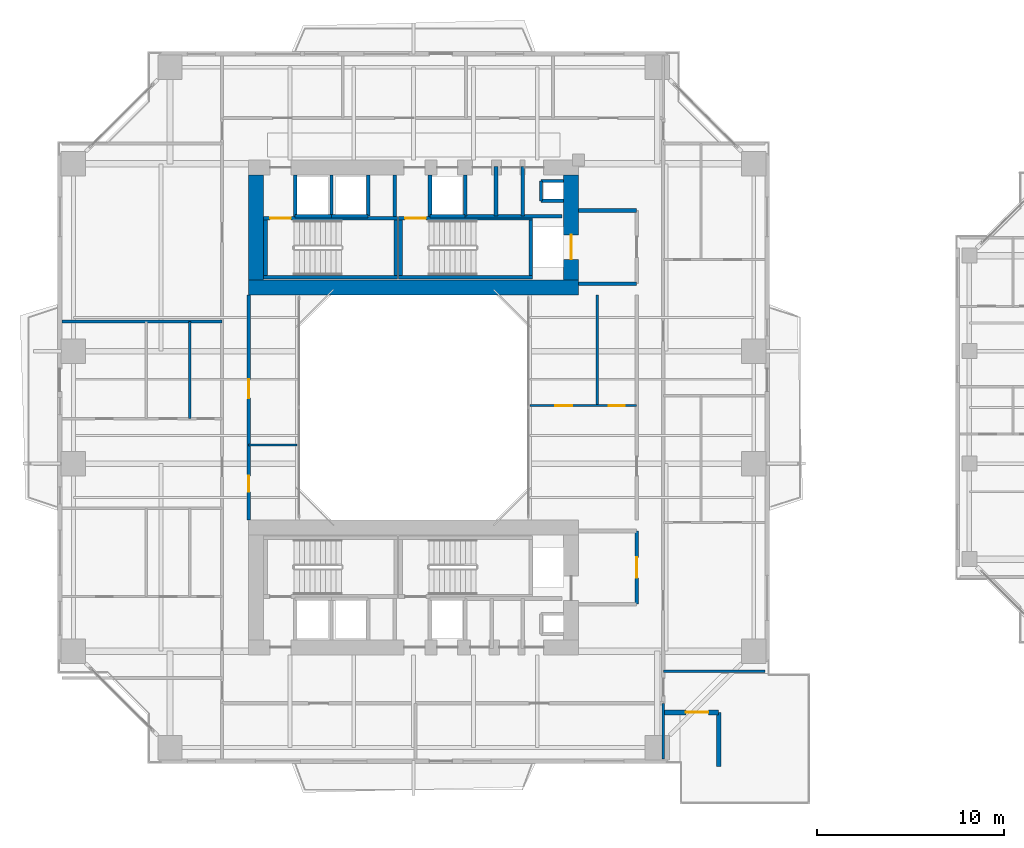
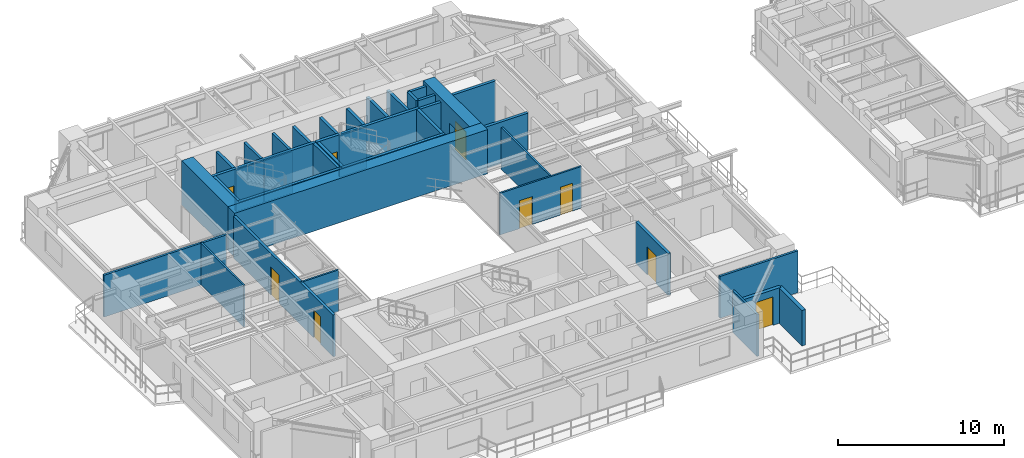
# One storey, part 15 of 23: 39 walls, 9 doors, 9 openings.
"""IFC4 building model written with IfcOpenShell, lengths in metres."""

from ifc_helpers import new_model, si_unit, direction, frame, frame_2d, origin, place, context, subcontext, project, spatial, rectangle, extrude, source, transform, mapped, material, layer, layer_set, type_object, element, fill, save


model = new_model("IFC4")

# Units and contexts
model_context = context("Model", 3, precision=1e-05, world=origin(), true_north=direction((0.0, 1.0)))
body_context = subcontext(model_context, "Body", "Model", "MODEL_VIEW")
ifc_project = project(units=[si_unit("LENGTHUNIT", "METRE"), si_unit("AREAUNIT", "SQUARE_METRE"), si_unit("VOLUMEUNIT", "CUBIC_METRE"), si_unit("PLANEANGLEUNIT", "RADIAN"), si_unit("MASSUNIT", "GRAM", prefix="KILO"), si_unit("THERMODYNAMICTEMPERATUREUNIT", "KELVIN"), si_unit("POWERUNIT", "WATT")], contexts=[model_context])

# Site, building, storey
site_placement = place(None, origin())
site = spatial("IfcSite", under=ifc_project, at=site_placement, CompositionType="ELEMENT")
building_placement = place(site_placement, origin())
building = spatial("IfcBuilding", under=site, at=building_placement, Name="Qiaomeng Ring Towers", CompositionType="ELEMENT")
storey_placement = place(building_placement, frame((0.0, 0.0, 73.0)))
storey = spatial("IfcBuildingStorey", under=building, at=storey_placement, Name="L20", CompositionType="ELEMENT", Elevation=73.0)

# Wall, opening, door
ifc_material_1 = material(Name="Precast concrete C40", Category="concrete")
ifc_layer_1 = layer(ifc_material_1, 0.25, Name="Precast concrete C40")
ifc_layer_set_1 = layer_set([ifc_layer_1], Name="Precast concrete C40")
wall_type_1 = type_object("IfcWallType", Name="ARC-WL-EW1", PredefinedType="STANDARD", material=ifc_layer_set_1)
wall_1_placement = place(storey_placement, frame((32.375, 6.72509765625, 0.0), z_axis=(0.0, 0.0, 1.0), x_axis=(1.0, 0.0, 0.0)))
wall_1 = element("IfcWall", 1, at=wall_1_placement, inside=storey, type_object=wall_type_1, Name="L20 Spiral Terrace Wall SE", PredefinedType="STANDARD", context=body_context, shape_type="SweptSolid", body=[
    extrude(rectangle(XDim=2.89990234375, YDim=0.25, at=frame_2d((1.449951171875, 0.0))), origin(), (0.0, 0.0, 1.0), 2.610107421875),
])
opening_1_placement = place(wall_1_placement, frame((1.14990234375, 0.0, 0.0)))
opening_1 = element("IfcOpeningElement", 2, at=opening_1_placement, cuts=wall_1, Name="Opening BD1", PredefinedType="OPENING", context=body_context, shape_type="SweptSolid", body=[
    extrude(rectangle(XDim=1.199951171875, YDim=2.10009765625, at=frame_2d((0.60009765625, 1.050048828125))), frame((0.0, 0.135009765625, 0.0), z_axis=(0.0, -1.0, 0.0), x_axis=(1.0, 0.0, 0.0)), (0.0, 0.0, 1.0), 0.27001953125),
])
ifc_material_2 = material(Name="Low-E dark-grey laminated double glazing", Category="glass")
door_type_1 = type_object("IfcDoorType", Name="ARC-DR-BD1", OperationType="NOTDEFINED", PredefinedType="DOOR", material=ifc_material_2)
shared_shape_1 = source(origin(), body_context, "Body", "SweptSolid", [
    extrude(rectangle(XDim=1.199951171875, YDim=2.10009765625, at=frame_2d((0.60009765625, 1.050048828125))), frame((0.0, 0.02490234375, 0.0), z_axis=(0.0, -1.0, 0.0), x_axis=(1.0, 0.0, 0.0)), (0.0, 0.0, 1.0), 0.050048828125),
])
door_1_placement = place(opening_1_placement, origin())
door_1 = element("IfcDoor", 3, at=door_1_placement, inside=storey, type_object=door_type_1, Name="L20 Spiral Sky Terrace Door SE", OperationType="SINGLE_SWING_LEFT", OverallHeight=2.10009765625, OverallWidth=1.199951171875, PredefinedType="DOOR", context=body_context, shape_type="MappedRepresentation", body=[
    mapped(shared_shape_1, transform((0.0, 0.0, 0.0), x_axis=(1.0, 0.0, 0.0), y_axis=(0.0, 1.0, 0.0), z_axis=(0.0, 0.0, 1.0), scale=1.0)),
])
fill(opening_1, door_1)

# Walls
wall_2_placement = place(storey_placement, frame((35.27490234375, 3.85009765625, 0.0), z_axis=(0.0, 0.0, 1.0), x_axis=(0.0, 1.0, 0.0)))
element("IfcWall", 4, at=wall_2_placement, inside=storey, type_object=wall_type_1, Name="L20 Spiral Terrace Return Wall SE", PredefinedType="STANDARD", context=body_context, shape_type="SweptSolid", body=[
    extrude(rectangle(XDim=2.875, YDim=0.25, at=frame_2d((1.4375, 0.0))), origin(), (0.0, 0.0, 1.0), 2.610107421875),
])
ifc_material_3 = material(Name="Autoclaved aerated concrete block", Category="concrete")
ifc_layer_2 = layer(ifc_material_3, 0.199951171875, Name="Autoclaved aerated concrete block")
ifc_layer_set_2 = layer_set([ifc_layer_2], Name="Autoclaved aerated concrete block")
wall_type_2 = type_object("IfcWallType", Name="ARC-WL-PW1", PredefinedType="PARTITIONING", material=ifc_layer_set_2)
for number, where, z_axis, x_axis, name in (
    (5, (27.800048828125, 29.60009765625, 0.0), (0.0, 0.0, 1.0), (1.0, 0.0, 0.0), "L20 Interior Wall PW1"),
    (6, (27.800048828125, 33.5, 0.0), (0.0, 0.0, 1.0), (1.0, 0.0, 0.0), "L20 Interior Wall PW1"),
):
    element("IfcWall", number, at=place(storey_placement, frame(where, z_axis=z_axis, x_axis=x_axis)), inside=storey, type_object=wall_type_2, Name=name, PredefinedType="PARTITIONING", context=body_context, shape_type="SweptSolid", body=[
        extrude(rectangle(XDim=3.099853515625, YDim=0.199951171875, at=frame_2d((1.5498046875, 0.0))), origin(), (0.0, 0.0, 1.0), 3.070068359375),
    ])

# Wall, opening, door
wall_3_placement = place(storey_placement, frame((30.89990234375, 12.5, 0.0), z_axis=(0.0, 0.0, 1.0), x_axis=(0.0, 1.0, 0.0)))
wall_3 = element("IfcWall", 7, at=wall_3_placement, inside=storey, type_object=wall_type_2, Name="L20 Interior Wall PW1", PredefinedType="PARTITIONING", context=body_context, shape_type="SweptSolid", body=[
    extrude(rectangle(XDim=3.89990234375, YDim=0.199951171875, at=frame_2d((1.949951171875, 0.0))), origin(), (0.0, 0.0, 1.0), 3.070068359375),
])
opening_2_placement = place(wall_3_placement, frame((1.39990234375, 0.0, 0.0)))
opening_2 = element("IfcOpeningElement", 8, at=opening_2_placement, cuts=wall_3, Name="Opening FD3", PredefinedType="OPENING", context=body_context, shape_type="SweptSolid", body=[
    extrude(rectangle(XDim=1.10009765625, YDim=2.050048828125, at=frame_2d((0.550048828125, 1.02490234375))), frame((0.0, 0.10986328125, 0.0), z_axis=(0.0, -1.0, 0.0), x_axis=(1.0, 0.0, 0.0)), (0.0, 0.0, 1.0), 0.219970703125),
])
ifc_material_4 = material(Name="Galvanised steel", Category="steel")
door_type_2 = type_object("IfcDoorType", Name="ARC-DR-FD3", OperationType="NOTDEFINED", PredefinedType="DOOR", material=ifc_material_4)
shared_shape_2 = source(origin(), body_context, "Body", "SweptSolid", [
    extrude(rectangle(XDim=1.10009765625, YDim=2.050048828125, at=frame_2d((0.550048828125, 1.02490234375))), frame((0.0, 0.02490234375, 0.0), z_axis=(0.0, -1.0, 0.0), x_axis=(1.0, 0.0, 0.0)), (0.0, 0.0, 1.0), 0.050048828125),
])
door_2_placement = place(opening_2_placement, origin())
door_2 = element("IfcDoor", 9, at=door_2_placement, inside=storey, type_object=door_type_2, Name="L20 South FF Lobby Door", OperationType="SINGLE_SWING_RIGHT", OverallHeight=2.050048828125, OverallWidth=1.10009765625, PredefinedType="DOOR", context=body_context, shape_type="MappedRepresentation", body=[
    mapped(shared_shape_2, transform((0.0, 0.0, 0.0), x_axis=(1.0, 0.0, 0.0), y_axis=(0.0, 1.0, 0.0), z_axis=(0.0, 0.0, 1.0), scale=1.0)),
])
fill(opening_2, door_2)

# Walls
for number, where, z_axis, x_axis, name in (
    (10, (12.679931640625, 33.18994140625, 0.0), (0.0, 0.0, 1.0), (0.0, 1.0, 0.0), "L20 Interior Wall PW1"),
    (11, (18.0, 33.18994140625, 0.0), (0.0, 0.0, 1.0), (0.0, 1.0, 0.0), "L20 Interior Wall PW1"),
    (12, (19.8798828125, 33.18994140625, 0.0), (0.0, 0.0, 1.0), (0.0, 1.0, 0.0), "L20 Interior Wall PW1"),
):
    element("IfcWall", number, at=place(storey_placement, frame(where, z_axis=z_axis, x_axis=x_axis)), inside=storey, type_object=wall_type_2, Name=name, PredefinedType="PARTITIONING", context=body_context, shape_type="SweptSolid", body=[
        extrude(rectangle(XDim=2.2099609375, YDim=0.199951171875, at=frame_2d((1.10498046875, 0.0))), origin(), (0.0, 0.0, 1.0), 3.070068359375),
    ])
wall_4_placement = place(storey_placement, frame((24.820068359375, 33.199951171875, 0.0), z_axis=(0.0, 0.0, 1.0), x_axis=(0.0, 1.0, 0.0)))
element("IfcWall", 13, at=wall_4_placement, inside=storey, type_object=wall_type_2, Name="L20 Interior Wall PW1", PredefinedType="PARTITIONING", context=body_context, shape_type="SweptSolid", body=[
    extrude(rectangle(XDim=2.650146484375, YDim=0.199951171875, at=frame_2d((1.3251953125, 0.0))), origin(), (0.0, 0.0, 1.0), 3.070068359375),
])
wall_5_placement = place(storey_placement, frame((21.75, 33.199951171875, 0.0), z_axis=(0.0, 0.0, 1.0), x_axis=(0.0, 1.0, 0.0)))
element("IfcWall", 14, at=wall_5_placement, inside=storey, type_object=wall_type_2, Name="L20 Interior Wall PW1", PredefinedType="PARTITIONING", context=body_context, shape_type="SweptSolid", body=[
    extrude(rectangle(XDim=2.199951171875, YDim=0.199951171875, at=frame_2d((1.10009765625, 0.0))), origin(), (0.0, 0.0, 1.0), 3.070068359375),
])
wall_6_placement = place(storey_placement, frame((23.39990234375, 33.199951171875, 0.0), z_axis=(0.0, 0.0, 1.0), x_axis=(0.0, 1.0, 0.0)))
element("IfcWall", 15, at=wall_6_placement, inside=storey, type_object=wall_type_2, Name="L20 Interior Wall PW1", PredefinedType="PARTITIONING", context=body_context, shape_type="SweptSolid", body=[
    extrude(rectangle(XDim=2.650146484375, YDim=0.199951171875, at=frame_2d((1.3251953125, 0.0))), origin(), (0.0, 0.0, 1.0), 3.070068359375),
])
wall_7_placement = place(storey_placement, frame((21.75, 33.199951171875, 0.0), z_axis=(0.0, 0.0, 1.0), x_axis=(1.0, 0.0, 0.0)))
element("IfcWall", 16, at=wall_7_placement, inside=storey, type_object=wall_type_2, Name="L20 Interior Wall PW1", PredefinedType="PARTITIONING", context=body_context, shape_type="SweptSolid", body=[
    extrude(rectangle(XDim=5.169921875, YDim=0.199951171875, at=frame_2d((2.5849609375, 0.0))), origin(), (0.0, 0.0, 1.0), 3.070068359375),
])

# Wall, openings, doors
ifc_layer_3 = layer(ifc_material_3, 0.179931640625, Name="Autoclaved aerated concrete block")
ifc_layer_set_3 = layer_set([ifc_layer_3], Name="Autoclaved aerated concrete block")
wall_type_3 = type_object("IfcWallType", Name="ARC-WL-PW2", PredefinedType="PARTITIONING", material=ifc_layer_set_3)
wall_8_placement = place(storey_placement, frame((10.199951171875, 17.0, 0.0), z_axis=(0.0, 0.0, 1.0), x_axis=(0.0, 1.0, 0.0)))
wall_8 = element("IfcWall", 17, at=wall_8_placement, inside=storey, type_object=wall_type_3, Name="L20 Interior Wall PW2", PredefinedType="PARTITIONING", context=body_context, shape_type="SweptSolid", body=[
    extrude(rectangle(XDim=12.0, YDim=0.179931640625, at=frame_2d((6.0, 0.0))), origin(), (0.0, 0.0, 1.0), 3.070068359375),
])
opening_3_placement = place(wall_8_placement, frame((1.5, 0.0, 0.0)))
opening_3 = element("IfcOpeningElement", 18, at=opening_3_placement, cuts=wall_8, Name="Opening ID2", PredefinedType="OPENING", context=body_context, shape_type="SweptSolid", body=[
    extrude(rectangle(XDim=0.85009765625, YDim=2.050048828125, at=frame_2d((0.425048828125, 1.02490234375))), frame((0.0, 0.099853515625, 0.0), z_axis=(0.0, -1.0, 0.0), x_axis=(1.0, 0.0, 0.0)), (0.0, 0.0, 1.0), 0.199951171875),
])
opening_4_placement = place(wall_8_placement, frame((6.5, 0.0, 0.0)))
opening_4 = element("IfcOpeningElement", 19, at=opening_4_placement, cuts=wall_8, Name="Opening FD4", PredefinedType="OPENING", context=body_context, shape_type="SweptSolid", body=[
    extrude(rectangle(XDim=1.0, YDim=2.050048828125, at=frame_2d((0.5, 1.02490234375))), frame((0.0, 0.099853515625, 0.0), z_axis=(0.0, -1.0, 0.0), x_axis=(1.0, 0.0, 0.0)), (0.0, 0.0, 1.0), 0.199951171875),
])
ifc_material_5 = material(Name="Engineered fire-rated oak timber", Category="wood")
door_type_3 = type_object("IfcDoorType", Name="ARC-DR-FD4", OperationType="NOTDEFINED", PredefinedType="DOOR", material=ifc_material_5)
shared_shape_3 = source(origin(), body_context, "Body", "SweptSolid", [
    extrude(rectangle(XDim=1.0, YDim=2.050048828125, at=frame_2d((0.5, 1.02490234375))), frame((0.0, 0.02490234375, 0.0), z_axis=(0.0, -1.0, 0.0), x_axis=(1.0, 0.0, 0.0)), (0.0, 0.0, 1.0), 0.050048828125),
])
door_3_placement = place(opening_4_placement, origin())
door_3 = element("IfcDoor", 20, at=door_3_placement, inside=storey, type_object=door_type_3, Name="L20 Door FD4", OperationType="SINGLE_SWING_LEFT", OverallHeight=2.050048828125, OverallWidth=1.0, PredefinedType="DOOR", context=body_context, shape_type="MappedRepresentation", body=[
    mapped(shared_shape_3, transform((0.0, 0.0, 0.0), x_axis=(1.0, 0.0, 0.0), y_axis=(0.0, 1.0, 0.0), z_axis=(0.0, 0.0, 1.0), scale=1.0)),
])
fill(opening_4, door_3)
ifc_material_6 = material(Name="Moisture-resistant engineered timber", Category="wood")
door_type_4 = type_object("IfcDoorType", Name="ARC-DR-ID2", OperationType="NOTDEFINED", PredefinedType="DOOR", material=ifc_material_6)
shared_shape_4 = source(origin(), body_context, "Body", "SweptSolid", [
    extrude(rectangle(XDim=0.85009765625, YDim=2.050048828125, at=frame_2d((0.425048828125, 1.02490234375))), frame((0.0, 0.02490234375, 0.0), z_axis=(0.0, -1.0, 0.0), x_axis=(1.0, 0.0, 0.0)), (0.0, 0.0, 1.0), 0.050048828125),
])
door_4_placement = place(opening_3_placement, origin())
door_4 = element("IfcDoor", 21, at=door_4_placement, inside=storey, type_object=door_type_4, Name="L20 Door ID2", OperationType="SINGLE_SWING_RIGHT", OverallHeight=2.050048828125, OverallWidth=0.85009765625, PredefinedType="DOOR", context=body_context, shape_type="MappedRepresentation", body=[
    mapped(shared_shape_4, transform((0.0, 0.0, 0.0), x_axis=(1.0, 0.0, 0.0), y_axis=(0.0, 1.0, 0.0), z_axis=(0.0, 0.0, 1.0), scale=1.0)),
])
fill(opening_3, door_4)

# Walls
ifc_material_7 = material(Name="Gypsum fireboard steel-stud partition", Category="steel")
ifc_layer_4 = layer(ifc_material_7, 0.14990234375, Name="Gypsum fireboard steel-stud partition")
ifc_layer_set_4 = layer_set([ifc_layer_4], Name="Gypsum fireboard steel-stud partition")
wall_type_4 = type_object("IfcWallType", Name="ARC-WL-PW3", PredefinedType="PARTITIONING", material=ifc_layer_set_4)
wall_9_placement = place(storey_placement, frame((32.320068359375, 4.25, 0.0), z_axis=(0.0, 0.0, 1.0), x_axis=(0.0, 1.0, 0.0)))
element("IfcWall", 22, at=wall_9_placement, inside=storey, type_object=wall_type_4, Name="L20 Interior Wall PW3", PredefinedType="PARTITIONING", context=body_context, shape_type="SweptSolid", body=[
    extrude(rectangle(XDim=2.9599609375, YDim=0.14990234375, at=frame_2d((1.47998046875, 0.0))), origin(), (0.0, 0.0, 1.0), 3.070068359375),
])
wall_10_placement = place(storey_placement, frame((0.25, 27.580078125, 0.0), z_axis=(0.0, 0.0, 1.0), x_axis=(1.0, 0.0, 0.0)))
element("IfcWall", 23, at=wall_10_placement, inside=storey, type_object=wall_type_4, Name="L20 Interior Wall PW3", PredefinedType="PARTITIONING", context=body_context, shape_type="SweptSolid", body=[
    extrude(rectangle(XDim=8.530029296875, YDim=0.14990234375, at=frame_2d((4.26513671875, 0.0))), origin(), (0.0, 0.0, 1.0), 3.070068359375),
])
wall_11_placement = place(storey_placement, frame((32.320068359375, 8.919921875, 0.0), z_axis=(0.0, 0.0, 1.0), x_axis=(1.0, 0.0, 0.0)))
element("IfcWall", 24, at=wall_11_placement, inside=storey, type_object=wall_type_4, Name="L20 Interior Wall PW3", PredefinedType="PARTITIONING", context=body_context, shape_type="SweptSolid", body=[
    extrude(rectangle(XDim=5.429931640625, YDim=0.14990234375, at=frame_2d((2.71484375, 0.0))), origin(), (0.0, 0.0, 1.0), 3.070068359375),
])
ifc_material_8 = material(Name="Moisture-resistant gypsum steel-stud partition", Category="steel")
ifc_layer_5 = layer(ifc_material_8, 0.1201171875, Name="Moisture-resistant gypsum steel-stud partition")
ifc_layer_set_5 = layer_set([ifc_layer_5], Name="Moisture-resistant gypsum steel-stud partition")
wall_type_5 = type_object("IfcWallType", Name="ARC-WL-PW4", PredefinedType="PLUMBINGWALL", material=ifc_layer_set_5)
wall_12_placement = place(storey_placement, frame((7.06005859375, 22.39990234375, 0.0), z_axis=(0.0, 0.0, 1.0), x_axis=(0.0, 1.0, 0.0)))
element("IfcWall", 25, at=wall_12_placement, inside=storey, type_object=wall_type_5, Name="L20 Interior Wall PW4", PredefinedType="PLUMBINGWALL", context=body_context, shape_type="SweptSolid", body=[
    extrude(rectangle(XDim=5.18017578125, YDim=0.1201171875, at=frame_2d((2.590087890625, 0.0))), origin(), (0.0, 0.0, 1.0), 3.070068359375),
])
wall_13_placement = place(storey_placement, frame((10.199951171875, 21.0, 0.0), z_axis=(0.0, 0.0, 1.0), x_axis=(1.0, 0.0, 0.0)))
element("IfcWall", 26, at=wall_13_placement, inside=storey, type_object=wall_type_5, Name="L20 Interior Wall PW4", PredefinedType="PLUMBINGWALL", context=body_context, shape_type="SweptSolid", body=[
    extrude(rectangle(XDim=2.580078125, YDim=0.1201171875, at=frame_2d((1.2900390625, 0.0))), origin(), (0.0, 0.0, 1.0), 3.070068359375),
])

# Wall, openings, doors
wall_14_placement = place(storey_placement, frame((25.219970703125, 23.10009765625, 0.0), z_axis=(0.0, 0.0, 1.0), x_axis=(1.0, 0.0, 0.0)))
wall_14 = element("IfcWall", 27, at=wall_14_placement, inside=storey, type_object=wall_type_5, Name="L20 Interior Wall PW4", PredefinedType="PLUMBINGWALL", context=body_context, shape_type="SweptSolid", body=[
    extrude(rectangle(XDim=5.679931640625, YDim=0.1201171875, at=frame_2d((2.83984375, 0.0))), origin(), (0.0, 0.0, 1.0), 3.070068359375),
])
opening_5_placement = place(wall_14_placement, frame((1.35009765625, 0.0, 0.0)))
opening_5 = element("IfcOpeningElement", 28, at=opening_5_placement, cuts=wall_14, Name="Opening ID1", PredefinedType="OPENING", context=body_context, shape_type="SweptSolid", body=[
    extrude(rectangle(XDim=0.89990234375, YDim=2.050048828125, at=frame_2d((0.449951171875, 1.02490234375))), frame((0.0, 0.070068359375, 0.0), z_axis=(0.0, -1.0, 0.0), x_axis=(1.0, 0.0, 0.0)), (0.0, 0.0, 1.0), 0.14013671875),
])
opening_6_placement = place(wall_14_placement, frame((4.195068359375, 0.0, 0.0)))
opening_6 = element("IfcOpeningElement", 29, at=opening_6_placement, cuts=wall_14, Name="Opening ID2", PredefinedType="OPENING", context=body_context, shape_type="SweptSolid", body=[
    extrude(rectangle(XDim=0.85009765625, YDim=2.050048828125, at=frame_2d((0.425048828125, 1.02490234375))), frame((0.0, 0.070068359375, 0.0), z_axis=(0.0, -1.0, 0.0), x_axis=(1.0, 0.0, 0.0)), (0.0, 0.0, 1.0), 0.14013671875),
])
door_5_placement = place(opening_6_placement, origin())
door_5 = element("IfcDoor", 30, at=door_5_placement, inside=storey, type_object=door_type_4, Name="L20 Door ID2", OperationType="SINGLE_SWING_LEFT", OverallHeight=2.050048828125, OverallWidth=0.85009765625, PredefinedType="DOOR", context=body_context, shape_type="MappedRepresentation", body=[
    mapped(shared_shape_4, transform((0.0, 0.0, 0.0), x_axis=(1.0, 0.0, 0.0), y_axis=(0.0, 1.0, 0.0), z_axis=(0.0, 0.0, 1.0), scale=1.0)),
])
fill(opening_6, door_5)
ifc_material_9 = material(Name="Engineered oak timber", Category="wood")
door_type_5 = type_object("IfcDoorType", Name="ARC-DR-ID1", OperationType="NOTDEFINED", PredefinedType="DOOR", material=ifc_material_9)
shared_shape_5 = source(origin(), body_context, "Body", "SweptSolid", [
    extrude(rectangle(XDim=0.89990234375, YDim=2.050048828125, at=frame_2d((0.449951171875, 1.02490234375))), frame((0.0, 0.02490234375, 0.0), z_axis=(0.0, -1.0, 0.0), x_axis=(1.0, 0.0, 0.0)), (0.0, 0.0, 1.0), 0.050048828125),
])
door_6_placement = place(opening_5_placement, origin())
door_6 = element("IfcDoor", 31, at=door_6_placement, inside=storey, type_object=door_type_5, Name="L20 Door ID1", OperationType="SINGLE_SWING_RIGHT", OverallHeight=2.050048828125, OverallWidth=0.89990234375, PredefinedType="DOOR", context=body_context, shape_type="MappedRepresentation", body=[
    mapped(shared_shape_5, transform((0.0, 0.0, 0.0), x_axis=(1.0, 0.0, 0.0), y_axis=(0.0, 1.0, 0.0), z_axis=(0.0, 0.0, 1.0), scale=1.0)),
])
fill(opening_5, door_6)

# Walls
wall_15_placement = place(storey_placement, frame((28.800048828125, 23.10009765625, 0.0), z_axis=(0.0, 0.0, 1.0), x_axis=(0.0, 1.0, 0.0)))
element("IfcWall", 32, at=wall_15_placement, inside=storey, type_object=wall_type_5, Name="L20 Interior Wall PW4", PredefinedType="PLUMBINGWALL", context=body_context, shape_type="SweptSolid", body=[
    extrude(rectangle(XDim=5.89990234375, YDim=0.1201171875, at=frame_2d((2.949951171875, 0.0))), origin(), (0.0, 0.0, 1.0), 3.070068359375),
])
ifc_material_10 = material(Name="Concrete C40", Category="concrete")
ifc_layer_6 = layer(ifc_material_10, 0.199951171875, Name="Concrete C40")
ifc_layer_set_6 = layer_set([ifc_layer_6], Name="Concrete C40")
wall_type_6 = type_object("IfcWallType", Name="STR-WL-STSHAFT", PredefinedType="SHEAR", material=ifc_layer_set_6)
wall_16_placement = place(storey_placement, frame((12.679931640625, 33.199951171875, 0.0), z_axis=(0.0, 0.0, 1.0), x_axis=(1.0, 0.0, 0.0)))
element("IfcWall", 33, at=wall_16_placement, inside=storey, type_object=wall_type_6, Name="L20 Lift LP5 Shaft Back Wall", PredefinedType="SHEAR", context=body_context, shape_type="SweptSolid", body=[
    extrude(rectangle(XDim=1.940185546875, YDim=0.179931640625, at=frame_2d((0.97021484375, 0.0))), origin(), (0.0, 0.0, 1.0), 3.070068359375),
])
wall_17_placement = place(storey_placement, frame((14.6201171875, 33.199951171875, 0.0), z_axis=(0.0, 0.0, 1.0), x_axis=(0.0, 1.0, 0.0)))
element("IfcWall", 34, at=wall_17_placement, inside=storey, type_object=wall_type_6, Name="L20 Lift LP5-LP3 Shaft Divider Wall", PredefinedType="SHEAR", context=body_context, shape_type="SweptSolid", body=[
    extrude(rectangle(XDim=2.199951171875, YDim=0.179931640625, at=frame_2d((1.10009765625, 0.0))), origin(), (0.0, 0.0, 1.0), 3.070068359375),
])
wall_18_placement = place(storey_placement, frame((25.800048828125, 34.02001953125, 0.0), z_axis=(0.0, 0.0, 1.0), x_axis=(0.0, 1.0, 0.0)))
element("IfcWall", 35, at=wall_18_placement, inside=storey, type_object=wall_type_6, Name="L20 Riser RSR1 West Shaft Wall N", PredefinedType="SHEAR", context=body_context, shape_type="SweptSolid", body=[
    extrude(rectangle(XDim=1.06005859375, YDim=0.179931640625, at=frame_2d((0.530029296875, 0.0))), origin(), (0.0, 0.0, 1.0), 3.070068359375),
])
for number, where, z_axis, x_axis, name in (
    (36, (25.800048828125, 35.080078125, 0.0), (0.0, 0.0, 1.0), (1.0, 0.0, 0.0), "L20 Riser RSR1 North Shaft Wall N"),
    (37, (25.800048828125, 34.02001953125, 0.0), (0.0, 0.0, 1.0), (1.0, 0.0, 0.0), "L20 Riser RSR1 South Shaft Wall N"),
):
    element("IfcWall", number, at=place(storey_placement, frame(where, z_axis=z_axis, x_axis=x_axis)), inside=storey, type_object=wall_type_6, Name=name, PredefinedType="SHEAR", context=body_context, shape_type="SweptSolid", body=[
        extrude(rectangle(XDim=1.199951171875, YDim=0.179931640625, at=frame_2d((0.60009765625, 0.0))), origin(), (0.0, 0.0, 1.0), 3.070068359375),
    ])
wall_19_placement = place(storey_placement, frame((14.6201171875, 33.199951171875, 0.0), z_axis=(0.0, 0.0, 1.0), x_axis=(1.0, 0.0, 0.0)))
element("IfcWall", 38, at=wall_19_placement, inside=storey, type_object=wall_type_6, Name="L20 Lift LP3 Shaft Back Wall", PredefinedType="SHEAR", context=body_context, shape_type="SweptSolid", body=[
    extrude(rectangle(XDim=1.9599609375, YDim=0.179931640625, at=frame_2d((0.97998046875, 0.0))), origin(), (0.0, 0.0, 1.0), 3.070068359375),
])
wall_20_placement = place(storey_placement, frame((16.580078125, 33.199951171875, 0.0), z_axis=(0.0, 0.0, 1.0), x_axis=(0.0, 1.0, 0.0)))
element("IfcWall", 39, at=wall_20_placement, inside=storey, type_object=wall_type_6, Name="L20 Lift LP3 East Shaft Wall", PredefinedType="SHEAR", context=body_context, shape_type="SweptSolid", body=[
    extrude(rectangle(XDim=2.199951171875, YDim=0.179931640625, at=frame_2d((1.10009765625, 0.0))), origin(), (0.0, 0.0, 1.0), 3.070068359375),
])
wall_21_placement = place(storey_placement, frame((19.8798828125, 33.199951171875, 0.0), z_axis=(0.0, 0.0, 1.0), x_axis=(1.0, 0.0, 0.0)))
element("IfcWall", 40, at=wall_21_placement, inside=storey, type_object=wall_type_6, Name="L20 Lift LP1 Shaft Back Wall", PredefinedType="SHEAR", context=body_context, shape_type="SweptSolid", body=[
    extrude(rectangle(XDim=1.8701171875, YDim=0.179931640625, at=frame_2d((0.93505859375, 0.0))), origin(), (0.0, 0.0, 1.0), 3.070068359375),
])
wall_22_placement = place(storey_placement, frame((11.0, 29.949951171875, 0.0), z_axis=(0.0, 0.0, 1.0), x_axis=(1.0, 0.0, 0.0)))
element("IfcWall", 41, at=wall_22_placement, inside=storey, type_object=wall_type_6, Name="L20 Stair ST1 South Shaft Shear Wall", PredefinedType="SHEAR", context=body_context, shape_type="SweptSolid", body=[
    extrude(rectangle(XDim=7.14990234375, YDim=0.199951171875, at=frame_2d((3.574951171875, 0.0))), origin(), (0.0, 0.0, 1.0), 3.25),
])

# Wall, opening, door
wall_23_placement = place(storey_placement, frame((11.0, 33.090087890625, 0.0), z_axis=(0.0, 0.0, 1.0), x_axis=(1.0, 0.0, 0.0)))
wall_23 = element("IfcWall", 42, at=wall_23_placement, inside=storey, type_object=wall_type_6, Name="L20 Stair ST1 North Shaft Shear Wall", PredefinedType="SHEAR", context=body_context, shape_type="SweptSolid", body=[
    extrude(rectangle(XDim=7.14990234375, YDim=0.199951171875, at=frame_2d((3.574951171875, 0.0))), origin(), (0.0, 0.0, 1.0), 3.25),
])
opening_7_placement = place(wall_23_placement, frame((0.35009765625, 0.0, 0.0)))
opening_7 = element("IfcOpeningElement", 43, at=opening_7_placement, cuts=wall_23, Name="Opening FD3", PredefinedType="OPENING", context=body_context, shape_type="SweptSolid", body=[
    extrude(rectangle(XDim=1.10009765625, YDim=2.050048828125, at=frame_2d((0.550048828125, 1.02490234375))), frame((0.0, 0.10986328125, 0.0), z_axis=(0.0, -1.0, 0.0), x_axis=(1.0, 0.0, 0.0)), (0.0, 0.0, 1.0), 0.219970703125),
])
door_7_placement = place(opening_7_placement, origin())
door_7 = element("IfcDoor", 44, at=door_7_placement, inside=storey, type_object=door_type_2, Name="L20 Stair ST1 Exit Door", OperationType="SINGLE_SWING_RIGHT", OverallHeight=2.050048828125, OverallWidth=1.10009765625, PredefinedType="DOOR", context=body_context, shape_type="MappedRepresentation", body=[
    mapped(shared_shape_2, transform((0.0, 0.0, 0.0), x_axis=(1.0, 0.0, 0.0), y_axis=(0.0, 1.0, 0.0), z_axis=(0.0, 0.0, 1.0), scale=1.0)),
])
fill(opening_7, door_7)

# Walls
for number, where, z_axis, x_axis, name in (
    (45, (11.10009765625, 30.050048828125, 0.0), (0.0, 0.0, 1.0), (0.0, 1.0, 0.0), "L20 Stair ST1 West Shaft Shear Wall"),
    (46, (18.050048828125, 30.050048828125, 0.0), (0.0, 0.0, 1.0), (0.0, 1.0, 0.0), "L20 Stair ST1 East Shaft Shear Wall"),
):
    element("IfcWall", number, at=place(storey_placement, frame(where, z_axis=z_axis, x_axis=x_axis)), inside=storey, type_object=wall_type_6, Name=name, PredefinedType="SHEAR", context=body_context, shape_type="SweptSolid", body=[
        extrude(rectangle(XDim=2.93994140625, YDim=0.199951171875, at=frame_2d((1.469970703125, 0.0))), origin(), (0.0, 0.0, 1.0), 3.25),
    ])
wall_24_placement = place(storey_placement, frame((18.199951171875, 29.949951171875, 0.0), z_axis=(0.0, 0.0, 1.0), x_axis=(1.0, 0.0, 0.0)))
element("IfcWall", 47, at=wall_24_placement, inside=storey, type_object=wall_type_6, Name="L20 Stair ST2 South Shaft Shear Wall", PredefinedType="SHEAR", context=body_context, shape_type="SweptSolid", body=[
    extrude(rectangle(XDim=7.150146484375, YDim=0.199951171875, at=frame_2d((3.5751953125, 0.0))), origin(), (0.0, 0.0, 1.0), 3.25),
])

# Wall, opening, door
wall_25_placement = place(storey_placement, frame((18.199951171875, 33.090087890625, 0.0), z_axis=(0.0, 0.0, 1.0), x_axis=(1.0, 0.0, 0.0)))
wall_25 = element("IfcWall", 48, at=wall_25_placement, inside=storey, type_object=wall_type_6, Name="L20 Stair ST2 North Shaft Shear Wall", PredefinedType="SHEAR", context=body_context, shape_type="SweptSolid", body=[
    extrude(rectangle(XDim=7.150146484375, YDim=0.199951171875, at=frame_2d((3.5751953125, 0.0))), origin(), (0.0, 0.0, 1.0), 3.25),
])
opening_8_placement = place(wall_25_placement, frame((0.35009765625, 0.0, 0.0)))
opening_8 = element("IfcOpeningElement", 49, at=opening_8_placement, cuts=wall_25, Name="Opening FD3", PredefinedType="OPENING", context=body_context, shape_type="SweptSolid", body=[
    extrude(rectangle(XDim=1.10009765625, YDim=2.050048828125, at=frame_2d((0.550048828125, 1.02490234375))), frame((0.0, 0.10986328125, 0.0), z_axis=(0.0, -1.0, 0.0), x_axis=(1.0, 0.0, 0.0)), (0.0, 0.0, 1.0), 0.219970703125),
])
door_8_placement = place(opening_8_placement, origin())
door_8 = element("IfcDoor", 50, at=door_8_placement, inside=storey, type_object=door_type_2, Name="L20 Stair ST2 Exit Door", OperationType="SINGLE_SWING_RIGHT", OverallHeight=2.050048828125, OverallWidth=1.10009765625, PredefinedType="DOOR", context=body_context, shape_type="MappedRepresentation", body=[
    mapped(shared_shape_2, transform((0.0, 0.0, 0.0), x_axis=(1.0, 0.0, 0.0), y_axis=(0.0, 1.0, 0.0), z_axis=(0.0, 0.0, 1.0), scale=1.0)),
])
fill(opening_8, door_8)

# Walls
for number, where, z_axis, x_axis, name in (
    (51, (18.300048828125, 30.050048828125, 0.0), (0.0, 0.0, 1.0), (0.0, 1.0, 0.0), "L20 Stair ST2 West Shaft Shear Wall"),
    (52, (25.25, 30.050048828125, 0.0), (0.0, 0.0, 1.0), (0.0, 1.0, 0.0), "L20 Stair ST2 East Shaft Shear Wall"),
):
    element("IfcWall", number, at=place(storey_placement, frame(where, z_axis=z_axis, x_axis=x_axis)), inside=storey, type_object=wall_type_6, Name=name, PredefinedType="SHEAR", context=body_context, shape_type="SweptSolid", body=[
        extrude(rectangle(XDim=2.93994140625, YDim=0.199951171875, at=frame_2d((1.469970703125, 0.0))), origin(), (0.0, 0.0, 1.0), 3.25),
    ])
ifc_material_11 = material(Name="Concrete C60", Category="concrete")
ifc_layer_7 = layer(ifc_material_11, 0.800048828125, Name="Concrete C60")
ifc_layer_set_7 = layer_set([ifc_layer_7], Name="Concrete C60")
wall_type_7 = type_object("IfcWallType", Name="STR-WL-SW1", PredefinedType="SHEAR", material=ifc_layer_set_7)
wall_26_placement = place(storey_placement, frame((10.199951171875, 29.39990234375, 0.0), z_axis=(0.0, 0.0, 1.0), x_axis=(1.0, 0.0, 0.0)))
element("IfcWall", 53, at=wall_26_placement, inside=storey, type_object=wall_type_7, Name="L20 T1NC south core shear wall", PredefinedType="SHEAR", context=body_context, shape_type="SweptSolid", body=[
    extrude(rectangle(XDim=17.60009765625, YDim=0.800048828125, at=frame_2d((8.800048828125, 0.0))), origin(), (0.0, 0.0, 1.0), 3.25),
])
wall_27_placement = place(storey_placement, frame((10.60009765625, 29.800048828125, 0.0), z_axis=(0.0, 0.0, 1.0), x_axis=(0.0, 1.0, 0.0)))
element("IfcWall", 54, at=wall_27_placement, inside=storey, type_object=wall_type_7, Name="L20 T1NC west core shear wall", PredefinedType="SHEAR", context=body_context, shape_type="SweptSolid", body=[
    extrude(rectangle(XDim=5.599853515625, YDim=0.800048828125, at=frame_2d((2.7998046875, 0.0))), origin(), (0.0, 0.0, 1.0), 3.25),
])

# Wall, opening, door
wall_28_placement = place(storey_placement, frame((27.39990234375, 29.800048828125, 0.0), z_axis=(0.0, 0.0, 1.0), x_axis=(0.0, 1.0, 0.0)))
wall_28 = element("IfcWall", 55, at=wall_28_placement, inside=storey, type_object=wall_type_7, Name="L20 T1NC east core shear wall", PredefinedType="SHEAR", context=body_context, shape_type="SweptSolid", body=[
    extrude(rectangle(XDim=5.599853515625, YDim=0.800048828125, at=frame_2d((2.7998046875, 0.0))), origin(), (0.0, 0.0, 1.0), 3.25),
])
opening_9_placement = place(wall_28_placement, frame((1.10009765625, 0.0, 0.0)))
opening_9 = element("IfcOpeningElement", 56, at=opening_9_placement, cuts=wall_28, Name="Opening LD2", PredefinedType="OPENING", context=body_context, shape_type="SweptSolid", body=[
    extrude(rectangle(XDim=1.300048828125, YDim=2.050048828125, at=frame_2d((0.64990234375, 1.02490234375))), frame((0.0, 0.409912109375, 0.0), z_axis=(0.0, -1.0, 0.0), x_axis=(1.0, 0.0, 0.0)), (0.0, 0.0, 1.0), 0.820068359375),
])
ifc_material_12 = material(Name="Stainless steel 316", Category="steel")
door_type_6 = type_object("IfcDoorType", Name="ARC-DR-LD2", OperationType="NOTDEFINED", PredefinedType="DOOR", material=ifc_material_12)
shared_shape_6 = source(origin(), body_context, "Body", "SweptSolid", [
    extrude(rectangle(XDim=1.300048828125, YDim=2.050048828125, at=frame_2d((0.64990234375, 1.02490234375))), frame((0.0, 0.02490234375, 0.0), z_axis=(0.0, -1.0, 0.0), x_axis=(1.0, 0.0, 0.0)), (0.0, 0.0, 1.0), 0.050048828125),
])
door_9_placement = place(opening_9_placement, origin())
door_9 = element("IfcDoor", 57, at=door_9_placement, inside=storey, type_object=door_type_6, Name="L20 Firefighting Lift FL1 Landing Door", OperationType="SLIDING_TO_LEFT", OverallHeight=2.050048828125, OverallWidth=1.300048828125, PredefinedType="DOOR", context=body_context, shape_type="MappedRepresentation", body=[
    mapped(shared_shape_6, transform((0.0, 0.0, 0.0), x_axis=(1.0, 0.0, 0.0), y_axis=(0.0, 1.0, 0.0), z_axis=(0.0, 0.0, 1.0), scale=1.0)),
])
fill(opening_9, door_9)

save(model, "model.ifc")
